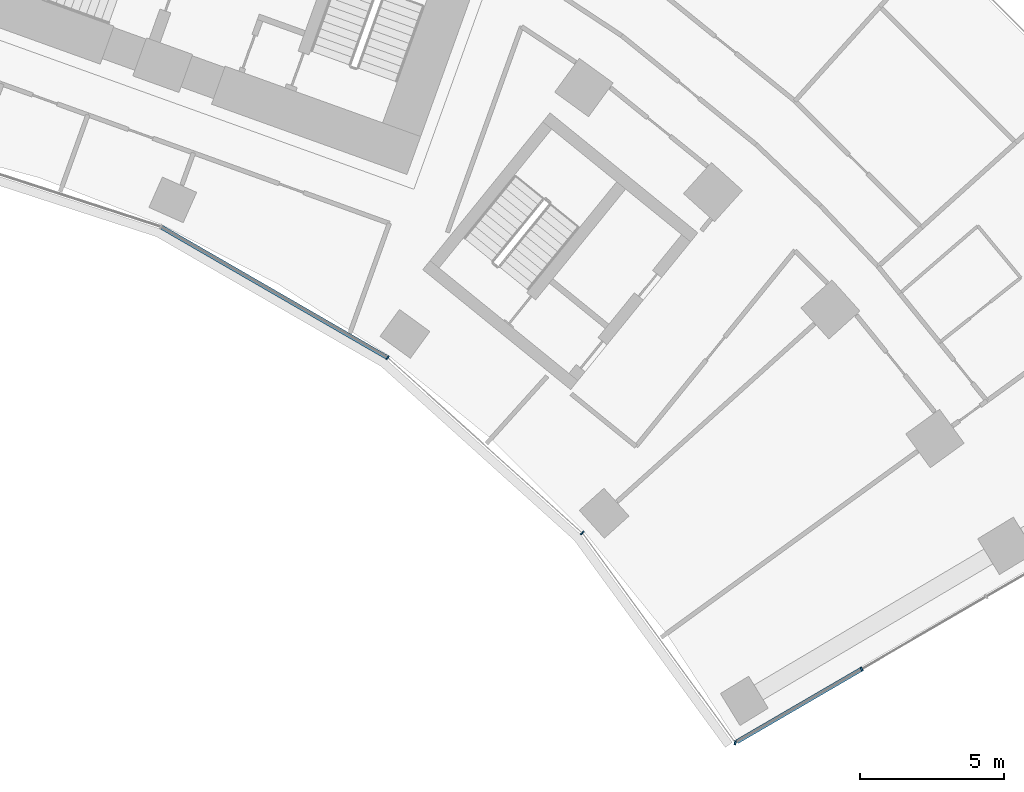
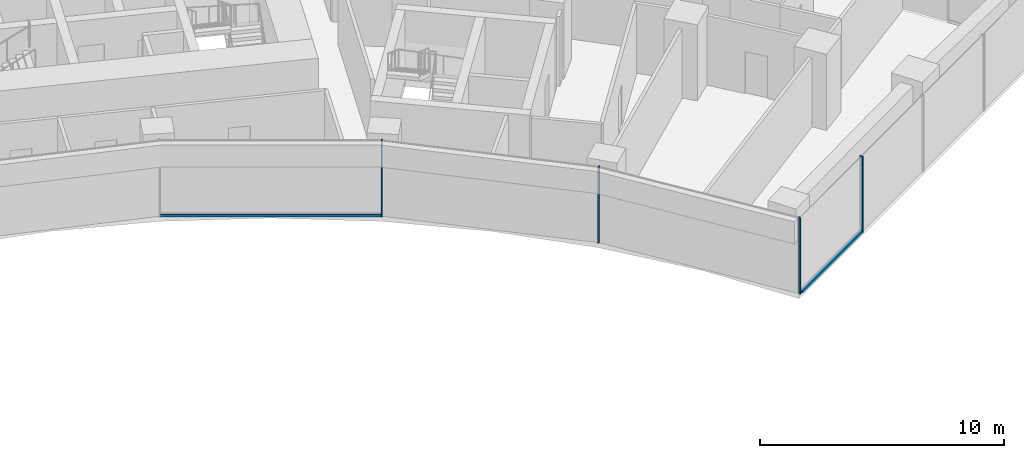
# One storey, part 7 of 19: 6 members, 2 elements without a shape of their own.
"""IFC4 building model written with IfcOpenShell, lengths in metres."""

from ifc_helpers import new_model, si_unit, direction, frame, origin, origin_2d, place, context, subcontext, project, spatial, rectangle, extrude, material, layer, layer_set, material_profile, profile_set, type_object, element, aggregate, save


model = new_model("IFC4")

# Units and contexts
model_context = context("Model", 3, precision=1e-05, world=origin(), true_north=direction((0.0, 1.0)))
body_context = subcontext(model_context, "Body", "Model", "MODEL_VIEW")
ifc_project = project(units=[si_unit("LENGTHUNIT", "METRE"), si_unit("AREAUNIT", "SQUARE_METRE"), si_unit("VOLUMEUNIT", "CUBIC_METRE"), si_unit("PLANEANGLEUNIT", "RADIAN"), si_unit("MASSUNIT", "GRAM", prefix="KILO")], contexts=[model_context])

# Site, building, storey
site_placement = place(None, origin())
site = spatial("IfcSite", under=ifc_project, at=site_placement, CompositionType="ELEMENT")
building_placement = place(site_placement, origin())
building = spatial("IfcBuilding", under=site, at=building_placement, Name="Stone Belt Terrace Tower", CompositionType="ELEMENT")
storey_placement = place(building_placement, frame((0.0, 0.0, 128.800048828125)))
storey = spatial("IfcBuildingStorey", under=building, at=storey_placement, Name="L31", CompositionType="ELEMENT", Elevation=128.800048828125)

# Curtain wall, members
ifc_material = material(Name="Aluminium 6063-T6 anodised frame", Category="aluminium")
ifc_layer_1 = layer(ifc_material, 0.14990234375)
ifc_layer_set_1 = layer_set([ifc_layer_1], Name="CW-B unitised concave-face curtain wall")
curtain_wall_type_1 = type_object("IfcCurtainWallType", Name="CW-B unitised concave-face curtain wall", PredefinedType="NOTDEFINED", material=ifc_layer_set_1)
curtain_wall_1_placement = place(storey_placement, origin())
curtain_wall_1 = element("IfcCurtainWall", 1, at=curtain_wall_1_placement, inside=storey, type_object=curtain_wall_type_1, Name="CW-B concave face L31", PredefinedType="NOTDEFINED")
ifc_material_profile_1 = material_profile(ifc_material, rectangle(XDim=0.14990234375, YDim=0.050048828125, at=origin_2d()), Name="Aluminium 6063-T6 50x150")
ifc_profile_set_1 = profile_set([ifc_material_profile_1], Name="Aluminium 6063-T6 anodised frame")
member_type_1 = type_object("IfcMemberType", Name="CW-B mullion 50 x 150", PredefinedType="MULLION", material=ifc_profile_set_1)
member_1_placement = place(storey_placement, frame((25.5244140625, 35.13134765625, 0.0), z_axis=(0.0, 0.0, 1.0), x_axis=(0.587785252292, 0.809016994375, 0.0)))
member_1 = element("IfcMember", 2, at=member_1_placement, type_object=member_type_1, Name="CW-B mullion 8", PredefinedType="MULLION", context=body_context, shape_type="SweptSolid", body=[
    extrude(rectangle(XDim=0.14990234375, YDim=0.050048828125, at=origin_2d()), origin(), (0.0, 0.0, 1.0), 3.800048828125),
])
member_2_placement = place(storey_placement, frame((32.270751953125, 29.056640625, 0.0), z_axis=(0.0, 0.0, 1.0), x_axis=(0.742548806143, 0.669791960608, 0.0)))
member_2 = element("IfcMember", 3, at=member_2_placement, type_object=member_type_1, Name="CW-B mullion 9", PredefinedType="MULLION", context=body_context, shape_type="SweptSolid", body=[
    extrude(rectangle(XDim=0.14990234375, YDim=0.050048828125, at=origin_2d()), origin(), (0.0, 0.0, 1.0), 3.800048828125),
])
ifc_material_profile_2 = material_profile(ifc_material, rectangle(XDim=0.14990234375, YDim=0.1201171875, at=origin_2d()), Name="Aluminium 6063-T6 150x120")
ifc_profile_set_2 = profile_set([ifc_material_profile_2], Name="Aluminium 6063-T6 anodised frame")
member_type_2 = type_object("IfcMemberType", Name="CW-B transom 120 x 150", PredefinedType="USERDEFINED", material=ifc_profile_set_2)
member_3_placement = place(storey_placement, frame((17.690673828125, 39.654052734375, 0.06005859375), z_axis=(0.866019133895, -0.500010859609, 0.0), x_axis=(0.500010859609, 0.866019133895, 0.0)))
member_3 = element("IfcMember", 4, at=member_3_placement, type_object=member_type_2, Name="CW-B transom 7.1", ObjectType="TRANSOM", PredefinedType="USERDEFINED", context=body_context, shape_type="SweptSolid", body=[
    extrude(rectangle(XDim=0.14990234375, YDim=0.1201171875, at=origin_2d()), origin(), (0.0, 0.0, 1.0), 9.012939453125),
])
aggregate(curtain_wall_1, [member_1, member_2, member_3])

ifc_layer_2 = layer(ifc_material, 0.14990234375)
ifc_layer_set_2 = layer_set([ifc_layer_2], Name="CW-C stick curtain wall, horn ends and notches")
curtain_wall_type_2 = type_object("IfcCurtainWallType", Name="CW-C stick curtain wall, horn ends and notches", PredefinedType="NOTDEFINED", material=ifc_layer_set_2)
curtain_wall_2_placement = place(storey_placement, origin())
curtain_wall_2 = element("IfcCurtainWall", 5, at=curtain_wall_2_placement, inside=storey, type_object=curtain_wall_type_2, Name="CW-C end face L31", PredefinedType="NOTDEFINED")
ifc_material_profile_3 = material_profile(ifc_material, rectangle(XDim=0.14990234375, YDim=0.06005859375, at=origin_2d()), Name="Aluminium 6063-T6 60x150")
ifc_profile_set_3 = profile_set([ifc_material_profile_3], Name="Aluminium 6063-T6 anodised frame")
member_type_3 = type_object("IfcMemberType", Name="CW-C mullion 60 x 150", PredefinedType="MULLION", material=ifc_profile_set_3)
member_4_placement = place(storey_placement, frame((37.57373046875, 21.78515625, 0.0), z_axis=(0.0, 0.0, 1.0), x_axis=(0.205298427037, 0.978699420586, 0.0)))
member_4 = element("IfcMember", 6, at=member_4_placement, type_object=member_type_3, Name="CW-C mullion 1", PredefinedType="MULLION", context=body_context, shape_type="SweptSolid", body=[
    extrude(rectangle(XDim=0.14990234375, YDim=0.06005859375, at=origin_2d()), origin(), (0.0, 0.0, 1.0), 3.800048828125),
])
member_5_placement = place(storey_placement, frame((41.953369140625, 24.334716796875, 0.0), z_axis=(0.0, 0.0, 1.0), x_axis=(-0.503080901861, 0.864239322284, 0.0)))
member_5 = element("IfcMember", 7, at=member_5_placement, type_object=member_type_3, Name="CW-C mullion 2", PredefinedType="MULLION", context=body_context, shape_type="SweptSolid", body=[
    extrude(rectangle(XDim=0.14990234375, YDim=0.06005859375, at=origin_2d()), origin(), (0.0, 0.0, 1.0), 3.800048828125),
])
ifc_material_profile_4 = material_profile(ifc_material, rectangle(XDim=0.14990234375, YDim=0.1201171875, at=origin_2d()), Name="Aluminium 6063-T6 150x120")
ifc_profile_set_4 = profile_set([ifc_material_profile_4], Name="Aluminium 6063-T6 anodised frame")
member_type_4 = type_object("IfcMemberType", Name="CW-C transom 120 x 150", PredefinedType="USERDEFINED", material=ifc_profile_set_4)
member_6_placement = place(storey_placement, frame((37.63623046875, 21.821533203125, 0.06005859375), z_axis=(0.864233293303, 0.503091258865, 0.0), x_axis=(-0.503091258865, 0.864233293303, 0.0)))
member_6 = element("IfcMember", 8, at=member_6_placement, type_object=member_type_4, Name="CW-C transom 1.1", ObjectType="TRANSOM", PredefinedType="USERDEFINED", context=body_context, shape_type="SweptSolid", body=[
    extrude(rectangle(XDim=0.14990234375, YDim=0.1201171875, at=origin_2d()), origin(), (0.0, 0.0, 1.0), 4.96533203125),
])
aggregate(curtain_wall_2, [member_4, member_5, member_6])

save(model, "model.ifc")
